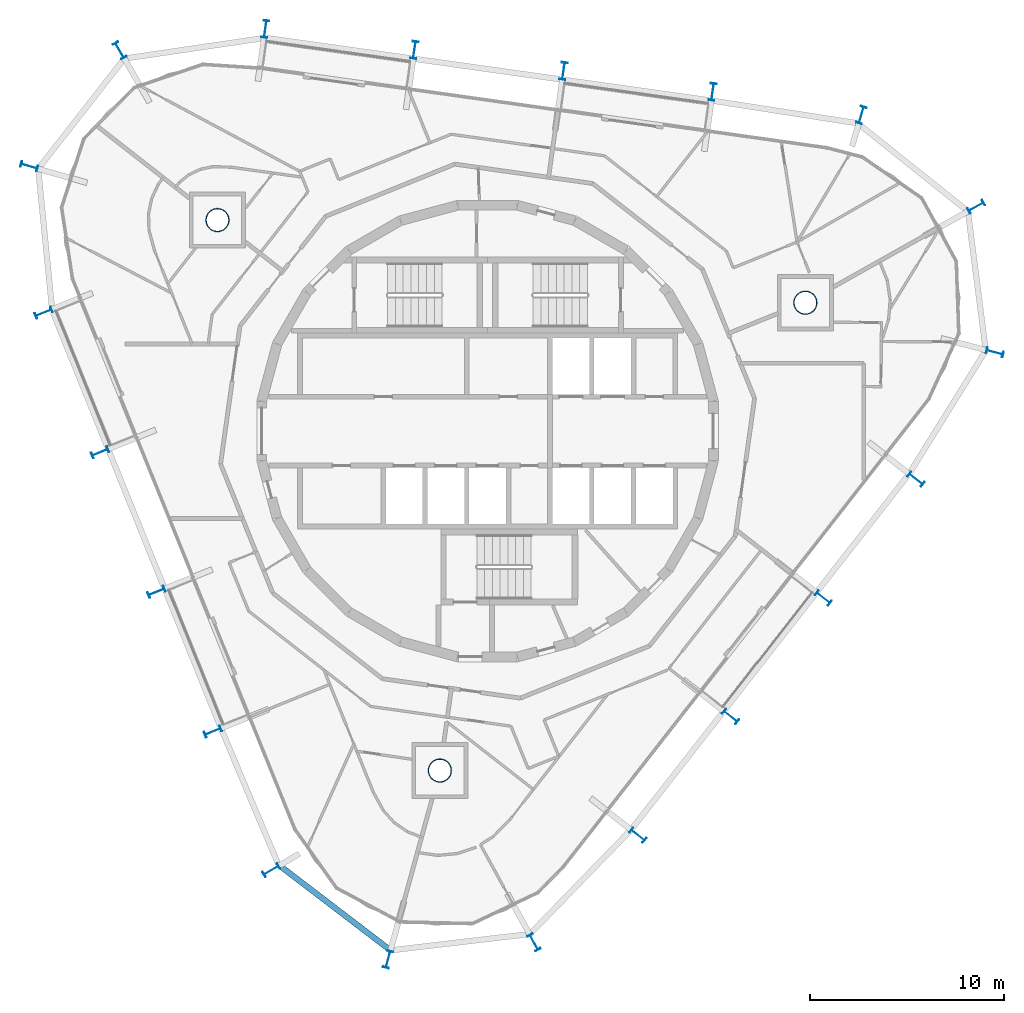
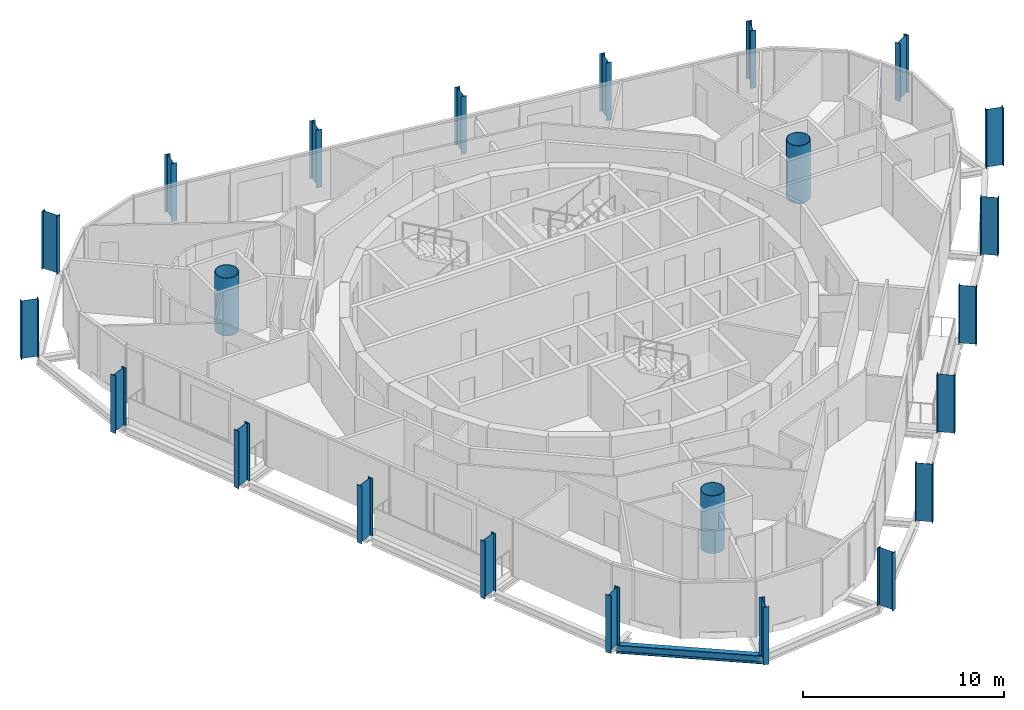
# One storey, part 1 of 15: 23 columns, 1 beam.
"""IFC4 building model written with IfcOpenShell, lengths in metres."""

from ifc_helpers import new_model, si_unit, direction, frame, origin, origin_2d, place, context, subcontext, project, spatial, hollow_circle, i_section, extrude, material, material_profile, profile_set, type_object, element, save


model = new_model("IFC4")

# Units and contexts
model_context = context("Model", 3, precision=1e-05, world=origin(), true_north=direction((0.0, 1.0)))
body_context = subcontext(model_context, "Body", "Model", "MODEL_VIEW")
ifc_project = project(units=[si_unit("LENGTHUNIT", "METRE"), si_unit("AREAUNIT", "SQUARE_METRE"), si_unit("VOLUMEUNIT", "CUBIC_METRE"), si_unit("PLANEANGLEUNIT", "RADIAN"), si_unit("MASSUNIT", "GRAM", prefix="KILO")], contexts=[model_context])

# Site, building, storey
site_placement = place(None, origin())
site = spatial("IfcSite", under=ifc_project, at=site_placement, CompositionType="ELEMENT")
building_placement = place(site_placement, origin())
building = spatial("IfcBuilding", under=site, at=building_placement, Name="Spindle Arch Residences", CompositionType="ELEMENT")
storey_placement = place(building_placement, frame((0.0, 0.0, 350.5)))
storey = spatial("IfcBuildingStorey", under=building, at=storey_placement, Name="L90", CompositionType="ELEMENT", Elevation=350.5)

# Columns
ifc_material_1 = material(Name="Steel S460ML, intumescent coating R 240", Category="steel")
ifc_material_profile_1 = material_profile(ifc_material_1, i_section(OverallWidth=0.300048828125, OverallDepth=0.89990234375, WebThickness=0.0185546875, FlangeThickness=0.034912109375, FilletRadius=0.030029296875, at=origin_2d()), Name="HEB 900")
ifc_profile_set_1 = profile_set([ifc_material_profile_1], Name="Steel S460ML, intumescent coating R 240")
column_type_1 = type_object("IfcColumnType", Name="Exoskeleton post HEB 900", PredefinedType="COLUMN", material=ifc_profile_set_1)
for number, where, z_axis, x_axis, name in (
    (1, (17.314208984375, -8.60009765625, -0.3798828125), (0.0, 0.0, 1.0), (-0.615661060634, -0.788011077599, 0.0), "Exoskeleton post 1"),
    (2, (22.09521484375, -2.480712890625, -0.3798828125), (0.0, 0.0, 1.0), (-0.615661060634, -0.788011077599, 0.0), "Exoskeleton post 2"),
    (3, (26.15869140625, 4.05712890625, -0.3798828125), (0.0, 0.0, 1.0), (-0.253940928912, -0.967219729236, 0.0), "Exoskeleton post 3"),
    (4, (25.19384765625, 11.571044921875, -0.3798828125), (0.0, 0.0, 1.0), (0.490023975195, -0.871708955865, 0.0), "Exoskeleton post 4"),
    (5, (19.27587890625, 16.30078125, -0.3798828125), (0.0, 0.0, 1.0), (0.958298489612, -0.285769146005, 0.0), "Exoskeleton post 5"),
    (6, (11.607421875, 17.4931640625, -0.3798828125), (0.0, 0.0, 1.0), (0.990268081324, -0.139173011432, 0.0), "Exoskeleton post 6"),
    (7, (3.91748046875, 18.573974609375, -0.3798828125), (0.0, 0.0, 1.0), (0.990268081324, -0.139173011432, 0.0), "Exoskeleton post 7"),
    (8, (-3.772705078125, 19.65478515625, -0.3798828125), (0.0, 0.0, 1.0), (0.990268081324, -0.139173011432, 0.0), "Exoskeleton post 8"),
    (9, (-11.462646484375, 20.735595703125, -0.3798828125), (0.0, 0.0, 1.0), (0.990268081324, -0.139173011432, 0.0), "Exoskeleton post 9"),
    (10, (-18.9755859375, 19.632080078125, -0.3798828125), (0.0, 0.0, 1.0), (0.866256848037, 0.499598912358, 0.0), "Exoskeleton post 10"),
    (11, (-23.6396484375, 13.662353515625, -0.3798828125), (0.0, 0.0, 1.0), (0.275193000466, 0.96138900165, 0.0), "Exoskeleton post 11"),
    (12, (-22.892578125, 6.105712890625, -0.3798828125), (0.0, 0.0, 1.0), (-0.374606892434, 0.927183733755, 0.0), "Exoskeleton post 12"),
    (13, (-19.983642578125, -1.094482421875, -0.3798828125), (0.0, 0.0, 1.0), (-0.374606892434, 0.927183733755, 0.0), "Exoskeleton post 13"),
    (14, (-17.07470703125, -8.29443359375, -0.3798828125), (0.0, 0.0, 1.0), (-0.374606892434, 0.927183733755, 0.0), "Exoskeleton post 14"),
    (15, (-14.16552734375, -15.49462890625, -0.3798828125), (0.0, 0.0, 1.0), (-0.374606892434, 0.927183733755, 0.0), "Exoskeleton post 15"),
    (16, (-11.1533203125, -22.64697265625, -0.3798828125), (0.0, 0.0, 1.0), (-0.509114042361, 0.86069907161, 0.0), "Exoskeleton post 16"),
    (17, (-5.13232421875, -27.244873046875, -0.3798828125), (0.0, 0.0, 1.0), (-0.964362923017, 0.264582978873, 0.0), "Exoskeleton post 17"),
    (18, (2.391845703125, -26.363037109375, -0.3798828125), (0.0, 0.0, 1.0), (-0.877055410309, -0.480389224741, 0.0), "Exoskeleton post 18"),
    (19, (7.752197265625, -20.838623046875, -0.3798828125), (0.0, 0.0, 1.0), (-0.615661060634, -0.788011077599, 0.0), "Exoskeleton post 19"),
    (20, (12.533203125, -14.71923828125, -0.3798828125), (0.0, 0.0, 1.0), (-0.615661060634, -0.788011077599, 0.0), "Exoskeleton post 20"),
):
    element("IfcColumn", number, at=place(storey_placement, frame(where, z_axis=z_axis, x_axis=x_axis)), inside=storey, type_object=column_type_1, Name=name, PredefinedType="COLUMN", context=body_context, shape_type="SweptSolid", body=[
        extrude(i_section(OverallWidth=0.300048828125, OverallDepth=0.89990234375, WebThickness=0.0185546875, FlangeThickness=0.034912109375, FilletRadius=0.030029296875, at=origin_2d()), origin(), (0.0, 0.0, 1.0), 3.5),
    ])
ifc_material_2 = material(Name="Concrete C50/60 filled steel tube S460ML, intumescent coating R 240", Category="concrete")
ifc_material_profile_2 = material_profile(ifc_material_2, hollow_circle(Radius=0.60009765625, WallThickness=0.030029296875, at=origin_2d()), Name="CFT D1200x30")
ifc_profile_set_2 = profile_set([ifc_material_profile_2], Name="Concrete C50/60 filled steel tube S460ML, intumescent coating R 240")
column_type_2 = type_object("IfcColumnType", Name="Mega-column CFT D1200x30", PredefinedType="COLUMN", material=ifc_profile_set_2)
for number, where, z_axis, x_axis, name in (
    (21, (16.3896484375, 6.621826171875, -0.3798828125), (0.0, 0.0, 1.0), (1.0, 0.0, 0.0), "Mega-column 1"),
    (22, (-13.929443359375, 10.883056640625, -0.3798828125), (0.0, 0.0, 1.0), (1.0, 0.0, 0.0), "Mega-column 2"),
    (23, (-2.460205078125, -17.5048828125, -0.3798828125), (0.0, 0.0, 1.0), (1.0, 0.0, 0.0), "Mega-column 3"),
):
    element("IfcColumn", number, at=place(storey_placement, frame(where, z_axis=z_axis, x_axis=x_axis)), inside=storey, type_object=column_type_2, Name=name, PredefinedType="COLUMN", context=body_context, shape_type="SweptSolid", body=[
        extrude(hollow_circle(Radius=0.60009765625, WallThickness=0.030029296875, at=origin_2d()), origin(), (0.0, 0.0, 1.0), 3.5),
    ])

# Beam
ifc_material_3 = material(Name="Steel S460ML, intumescent coating R 120", Category="steel")
ifc_material_profile_3 = material_profile(ifc_material_3, i_section(OverallWidth=0.300048828125, OverallDepth=0.5, WebThickness=0.014404296875, FlangeThickness=0.028076171875, FilletRadius=0.027099609375, at=origin_2d()), Name="HEB 500")
ifc_profile_set_3 = profile_set([ifc_material_profile_3], Name="Steel S460ML, intumescent coating R 120")
beam_type = type_object("IfcBeamType", Name="Exoskeleton edge beam HEB 500", PredefinedType="BEAM", material=ifc_profile_set_3)
beam_placement = place(storey_placement, frame((-10.77685546875, -22.3681640625, -0.6298828125), z_axis=(0.794751716533, -0.606934682703, 0.0), x_axis=(0.606934682703, 0.794751716533, 0.0)))
element("IfcBeam", 24, at=beam_placement, inside=storey, type_object=beam_type, Name="Exoskeleton edge beam 16", PredefinedType="BEAM", context=body_context, shape_type="SweptSolid", body=[
    extrude(i_section(OverallWidth=0.300048828125, OverallDepth=0.5, WebThickness=0.014404296875, FlangeThickness=0.028076171875, FilletRadius=0.027099609375, at=origin_2d()), origin(), (0.0, 0.0, 1.0), 7.315673828125),
])

save(model, "model.ifc")
